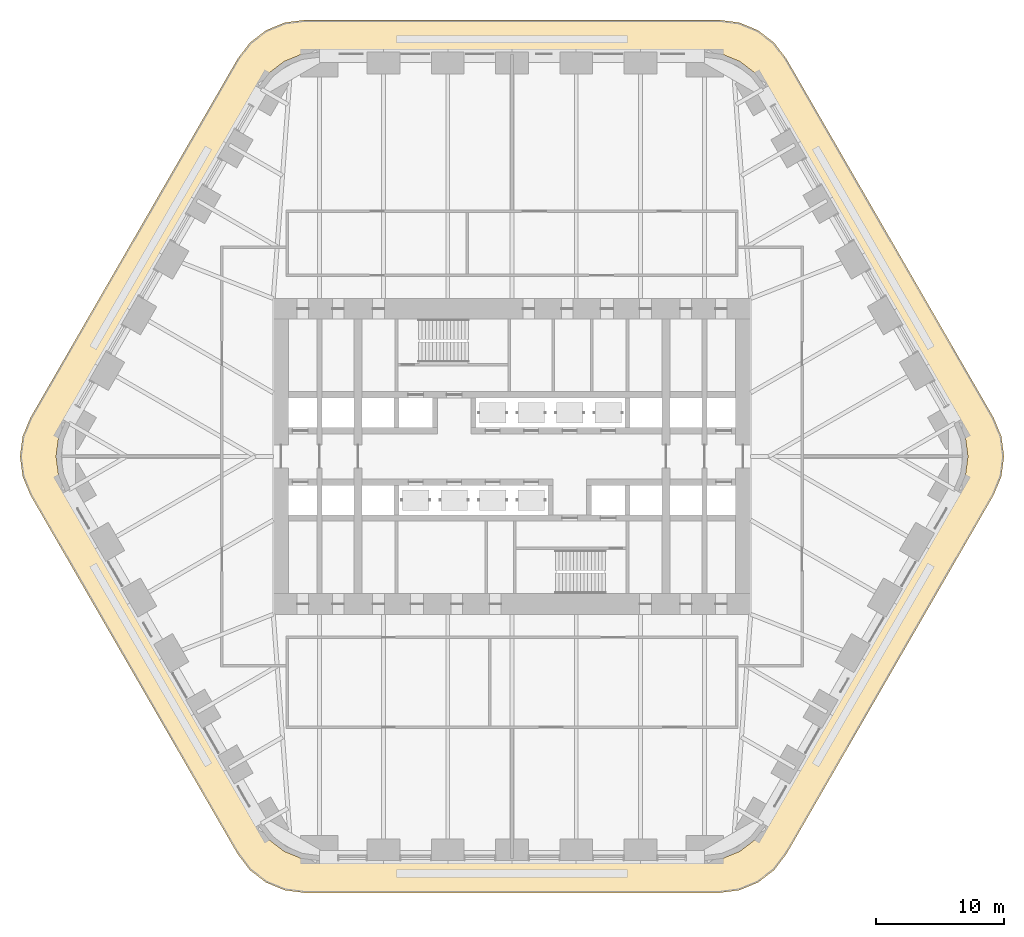
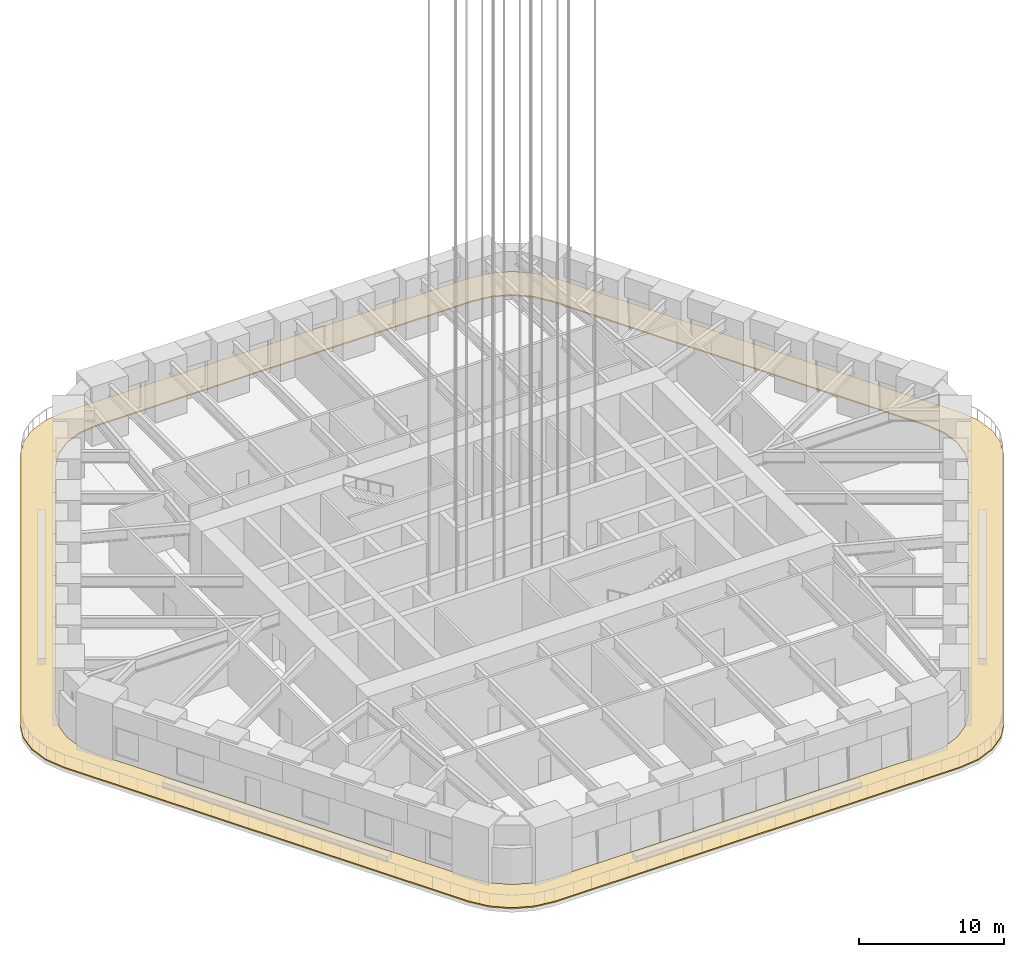
# One storey, part 13 of 15: 1 covering.
"""IFC4 building model written with IfcOpenShell, lengths in metres."""

from ifc_helpers import new_model, si_unit, direction, frame, origin, place, context, subcontext, project, spatial, polyline, outline, extrude, material, layer, layer_set, type_object, element, save


model = new_model("IFC4")

# Units and contexts
model_context = context("Model", 3, precision=1e-05, world=origin(), true_north=direction((0.0, 1.0)))
body_context = subcontext(model_context, "Body", "Model", "MODEL_VIEW")
ifc_project = project(units=[si_unit("LENGTHUNIT", "METRE"), si_unit("AREAUNIT", "SQUARE_METRE"), si_unit("VOLUMEUNIT", "CUBIC_METRE"), si_unit("PLANEANGLEUNIT", "RADIAN"), si_unit("MASSUNIT", "GRAM", prefix="KILO")], contexts=[model_context])

# Site, building, storey
site_placement = place(None, origin())
site = spatial("IfcSite", under=ifc_project, at=site_placement, CompositionType="ELEMENT")
building_placement = place(site_placement, origin())
building = spatial("IfcBuilding", under=site, at=building_placement, Name="Tarfa Lantern Tower", CompositionType="ELEMENT")
storey_placement = place(building_placement, frame((0.0, 0.0, 114.5)))
storey = spatial("IfcBuildingStorey", under=building, at=storey_placement, Name="L25", CompositionType="ELEMENT", Elevation=114.5)

# Covering
ifc_material = material(Name="Bituminous membrane, insulation and concrete pavers", Category="concrete")
ifc_layer = layer(ifc_material, 0.10009765625)
ifc_layer_set = layer_set([ifc_layer], Name="RF1 ROOF MEMBRANE AND PAVERS 100")
covering_type = type_object("IfcCoveringType", Name="RF1 ROOF MEMBRANE AND PAVERS 100", PredefinedType="ROOFING", material=ifc_layer_set)
covering_placement = place(storey_placement, origin())
element("IfcCovering", 1, at=covering_placement, inside=storey, type_object=covering_type, Name="Roofing Sky garden terrace L25", PredefinedType="ROOFING", context=body_context, shape_type="SweptSolid", body=[
    extrude(outline(polyline([(37.52783203125, 3.0), (21.362060546875, 31.0), (20.408447265625, 32.24267578125), (19.165771484375, 33.196044921875), (17.71875, 33.795654296875), (16.165771484375, 34.0), (-16.165771484375, 34.0), (-17.71875, 33.795654296875), (-19.165771484375, 33.196044921875), (-20.408447265625, 32.24267578125), (-21.362060546875, 31.0), (-37.52783203125, 3.0), (-38.127197265625, 1.552978515625), (-38.33154296875, 0.0), (-38.127197265625, -1.552978515625), (-37.52783203125, -3.0), (-21.362060546875, -31.0), (-20.408447265625, -32.24267578125), (-19.165771484375, -33.196044921875), (-17.71875, -33.795654296875), (-16.165771484375, -34.0), (16.165771484375, -34.0), (17.71875, -33.795654296875), (19.165771484375, -33.196044921875), (20.408447265625, -32.24267578125), (21.362060546875, -31.0), (37.52783203125, -3.0), (38.127197265625, -1.552978515625), (38.33154296875, 0.0), (38.127197265625, 1.552978515625), (37.52783203125, 3.0)]), holes=[polyline([(34.785400390625, 2.75), (19.774169921875, 28.75), (18.900146484375, 29.88916015625), (17.760986328125, 30.76318359375), (16.4345703125, 31.3125), (15.010986328125, 31.5), (-15.010986328125, 31.5), (-16.4345703125, 31.3125), (-17.760986328125, 30.76318359375), (-18.900146484375, 29.88916015625), (-19.774169921875, 28.75), (-34.785400390625, 2.75), (-35.334716796875, 1.423583984375), (-35.522216796875, 0.0), (-35.334716796875, -1.423583984375), (-34.785400390625, -2.75), (-19.774169921875, -28.75), (-18.900146484375, -29.88916015625), (-17.760986328125, -30.76318359375), (-16.4345703125, -31.3125), (-15.010986328125, -31.5), (15.010986328125, -31.5), (16.4345703125, -31.3125), (17.760986328125, -30.76318359375), (18.900146484375, -29.88916015625), (19.774169921875, -28.75), (34.785400390625, -2.75), (35.334716796875, -1.423583984375), (35.522216796875, 0.0), (35.334716796875, 1.423583984375), (34.785400390625, 2.75)])]), origin(), (0.0, 0.0, 1.0), 0.10009765625),
])

save(model, "model.ifc")
